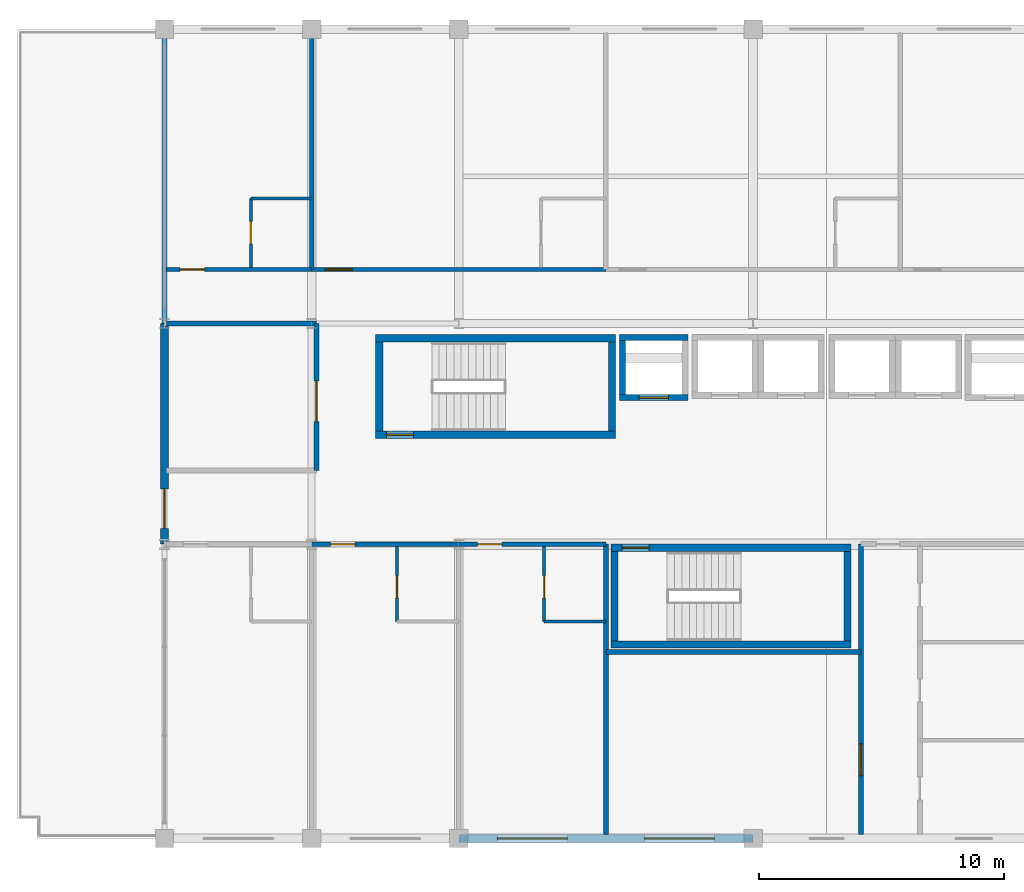
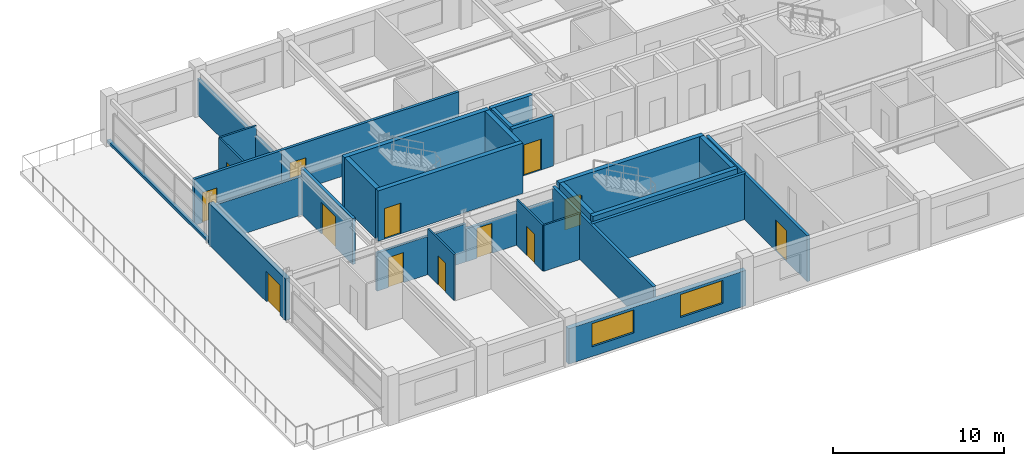
# One storey, part 17 of 21: 29 walls, 13 doors, 2 windows, 15 openings.
"""IFC4 building model written with IfcOpenShell, lengths in metres."""

from ifc_helpers import new_model, si_unit, direction, frame, frame_2d, origin, place, context, subcontext, project, spatial, rectangle, extrude, material, layer, layer_set, type_object, element, fill, save


model = new_model("IFC4")

# Units and contexts
model_context = context("Model", 3, precision=1e-05, world=origin(), true_north=direction((0.0, 1.0)))
body_context = subcontext(model_context, "Body", "Model", "MODEL_VIEW")
ifc_project = project(units=[si_unit("LENGTHUNIT", "METRE"), si_unit("AREAUNIT", "SQUARE_METRE"), si_unit("VOLUMEUNIT", "CUBIC_METRE"), si_unit("PLANEANGLEUNIT", "RADIAN"), si_unit("MASSUNIT", "GRAM", prefix="KILO")], contexts=[model_context])

# Site, building, storey
site_placement = place(None, origin())
site = spatial("IfcSite", under=ifc_project, at=site_placement, CompositionType="ELEMENT")
building_placement = place(site_placement, origin())
building = spatial("IfcBuilding", under=site, at=building_placement, Name="Kaldorvane Square Convention Centre", CompositionType="ELEMENT")
storey_placement = place(building_placement, frame((0.0, 0.0, 49.19999694824219)))
storey = spatial("IfcBuildingStorey", under=building, at=storey_placement, Name="L11", CompositionType="ELEMENT", Elevation=49.19999694824219)

# Wall, opening, door
ifc_material_1 = material(Name="Fire-Rated Gypsum Board on Acoustic Steel Studs", Category="steel")
ifc_layer_1 = layer(ifc_material_1, 0.125)
ifc_layer_set_1 = layer_set([ifc_layer_1], Name="Fire-Rated Gypsum Board on Acoustic Steel Studs")
wall_type_1 = type_object("IfcWallType", Name="WL-BATH-125", PredefinedType="PARTITIONING", material=ifc_layer_set_1)
wall_1_placement = place(storey_placement, frame((33.52000427246094, 107.28999328613281, 0.0), z_axis=(0.0, 0.0, 1.0), x_axis=(0.0, 1.0, 0.0)))
wall_1 = element("IfcWall", 1, at=wall_1_placement, inside=storey, type_object=wall_type_1, Name="En-Suite 1101 West Wall", PredefinedType="PARTITIONING", context=body_context, shape_type="SweptSolid", body=[
    extrude(rectangle(XDim=2.8100128173828125, YDim=0.125, at=frame_2d((1.404998779296875, 0.0))), origin(), (0.0, 0.0, 1.0), 3.290008544921875),
])
opening_1_placement = place(wall_1_placement, frame((0.9499969482421875, 0.0, 0.0)))
opening_1 = element("IfcOpeningElement", 2, at=opening_1_placement, cuts=wall_1, Name="Opening ID-12", PredefinedType="OPENING", context=body_context, shape_type="SweptSolid", body=[
    extrude(rectangle(XDim=0.9199981689453125, YDim=2.100006103515625, at=frame_2d((0.459991455078125, 1.0500030517578125))), frame((0.0, 0.0774993896484375, 0.0), z_axis=(0.0, -1.0, 0.0), x_axis=(1.0, 0.0, 0.0)), (0.0, 0.0, 1.0), 0.154998779296875),
])
ifc_material_2 = material(Name="Architectural Solid-Core White Oak")
door_type_1 = type_object("IfcDoorType", Name="DR-BATH-0920X2100", OperationType="SINGLE_SWING_RIGHT", PredefinedType="DOOR", material=ifc_material_2)
door_1_placement = place(opening_1_placement, origin())
door_1 = element("IfcDoor", 3, at=door_1_placement, inside=storey, type_object=door_type_1, Name="En-Suite Bathroom 1101 Door", OperationType="SINGLE_SWING_RIGHT", OverallHeight=2.100006103515625, OverallWidth=0.9199981689453125, PredefinedType="DOOR", context=body_context, shape_type="SweptSolid", body=[
    extrude(rectangle(XDim=0.9199981689453125, YDim=2.100006103515625, at=frame_2d((0.459991455078125, 1.0500030517578125))), frame((0.0, 0.024993896484375, 0.0), z_axis=(0.0, -1.0, 0.0), x_axis=(1.0, 0.0, 0.0)), (0.0, 0.0, 1.0), 0.0500030517578125),
])
fill(opening_1, door_1)

# Wall
wall_2_placement = place(storey_placement, frame((33.52000427246094, 110.10000610351562, 0.0), z_axis=(0.0, 0.0, 1.0), x_axis=(1.0, 0.0, 0.0)))
element("IfcWall", 4, at=wall_2_placement, inside=storey, type_object=wall_type_1, Name="En-Suite 1101 North Wall", PredefinedType="PARTITIONING", context=body_context, shape_type="SweptSolid", body=[
    extrude(rectangle(XDim=2.4799957275390625, YDim=0.125, at=frame_2d((1.239990234375, 0.0))), origin(), (0.0, 0.0, 1.0), 3.290008544921875),
])

# Wall, opening, door
wall_3_placement = place(storey_placement, frame((39.47999572753906, 92.85000610351562, 0.0), z_axis=(0.0, 0.0, 1.0), x_axis=(0.0, 1.0, 0.0)))
wall_3 = element("IfcWall", 5, at=wall_3_placement, inside=storey, type_object=wall_type_1, Name="En-Suite 1107 West Wall", PredefinedType="PARTITIONING", context=body_context, shape_type="SweptSolid", body=[
    extrude(rectangle(XDim=3.05999755859375, YDim=0.125, at=frame_2d((1.529998779296875, 0.0))), origin(), (0.0, 0.0, 1.0), 3.290008544921875),
])
opening_2_placement = place(wall_3_placement, frame((0.9499969482421875, 0.0, 0.0)))
opening_2 = element("IfcOpeningElement", 6, at=opening_2_placement, cuts=wall_3, Name="Opening ID-12", PredefinedType="OPENING", context=body_context, shape_type="SweptSolid", body=[
    extrude(rectangle(XDim=0.9199981689453125, YDim=2.100006103515625, at=frame_2d((0.459991455078125, 1.0500030517578125))), frame((0.0, 0.0774993896484375, 0.0), z_axis=(0.0, -1.0, 0.0), x_axis=(1.0, 0.0, 0.0)), (0.0, 0.0, 1.0), 0.154998779296875),
])
door_2_placement = place(opening_2_placement, origin())
door_2 = element("IfcDoor", 7, at=door_2_placement, inside=storey, type_object=door_type_1, Name="En-Suite Bathroom 1107 Door", OperationType="SINGLE_SWING_RIGHT", OverallHeight=2.100006103515625, OverallWidth=0.9199981689453125, PredefinedType="DOOR", context=body_context, shape_type="SweptSolid", body=[
    extrude(rectangle(XDim=0.9199981689453125, YDim=2.100006103515625, at=frame_2d((0.459991455078125, 1.0500030517578125))), frame((0.0, 0.024993896484375, 0.0), z_axis=(0.0, -1.0, 0.0), x_axis=(1.0, 0.0, 0.0)), (0.0, 0.0, 1.0), 0.0500030517578125),
])
fill(opening_2, door_2)

wall_4_placement = place(storey_placement, frame((45.47999572753906, 92.85000610351562, 0.0), z_axis=(0.0, 0.0, 1.0), x_axis=(0.0, 1.0, 0.0)))
wall_4 = element("IfcWall", 8, at=wall_4_placement, inside=storey, type_object=wall_type_1, Name="En-Suite 1108 West Wall", PredefinedType="PARTITIONING", context=body_context, shape_type="SweptSolid", body=[
    extrude(rectangle(XDim=3.05999755859375, YDim=0.125, at=frame_2d((1.529998779296875, 0.0))), origin(), (0.0, 0.0, 1.0), 3.290008544921875),
])
opening_3_placement = place(wall_4_placement, frame((0.9499969482421875, 0.0, 0.0)))
opening_3 = element("IfcOpeningElement", 9, at=opening_3_placement, cuts=wall_4, Name="Opening ID-12", PredefinedType="OPENING", context=body_context, shape_type="SweptSolid", body=[
    extrude(rectangle(XDim=0.9199981689453125, YDim=2.100006103515625, at=frame_2d((0.459991455078125, 1.0500030517578125))), frame((0.0, 0.0774993896484375, 0.0), z_axis=(0.0, -1.0, 0.0), x_axis=(1.0, 0.0, 0.0)), (0.0, 0.0, 1.0), 0.154998779296875),
])
door_3_placement = place(opening_3_placement, origin())
door_3 = element("IfcDoor", 10, at=door_3_placement, inside=storey, type_object=door_type_1, Name="En-Suite Bathroom 1108 Door", OperationType="SINGLE_SWING_RIGHT", OverallHeight=2.100006103515625, OverallWidth=0.9199981689453125, PredefinedType="DOOR", context=body_context, shape_type="SweptSolid", body=[
    extrude(rectangle(XDim=0.9199981689453125, YDim=2.100006103515625, at=frame_2d((0.459991455078125, 1.0500030517578125))), frame((0.0, 0.024993896484375, 0.0), z_axis=(0.0, -1.0, 0.0), x_axis=(1.0, 0.0, 0.0)), (0.0, 0.0, 1.0), 0.0500030517578125),
])
fill(opening_3, door_3)

# Wall
wall_5_placement = place(storey_placement, frame((45.47999572753906, 92.85000610351562, 0.0), z_axis=(0.0, 0.0, 1.0), x_axis=(1.0, 0.0, 0.0)))
element("IfcWall", 11, at=wall_5_placement, inside=storey, type_object=wall_type_1, Name="En-Suite 1108 South Wall", PredefinedType="PARTITIONING", context=body_context, shape_type="SweptSolid", body=[
    extrude(rectangle(XDim=2.5200042724609375, YDim=0.125, at=frame_2d((1.260009765625, 0.0))), origin(), (0.0, 0.0, 1.0), 3.290008544921875),
])

# Wall, opening, door
ifc_layer_2 = layer(ifc_material_1, 0.1999969482421875)
ifc_layer_set_2 = layer_set([ifc_layer_2], Name="Fire-Rated Gypsum Board on Acoustic Steel Studs")
wall_type_2 = type_object("IfcWallType", Name="WL-CORR-200", PredefinedType="PARTITIONING", material=ifc_layer_set_2)
wall_6_placement = place(storey_placement, frame((58.399993896484375, 84.16000366210938, 0.0), z_axis=(0.0, 0.0, 1.0), x_axis=(0.0, 1.0, 0.0)))
wall_6 = element("IfcWall", 12, at=wall_6_placement, inside=storey, type_object=wall_type_2, Name="Restroom Vestibule West Wall (L11)", PredefinedType="PARTITIONING", context=body_context, shape_type="SweptSolid", body=[
    extrude(rectangle(XDim=11.839996337890625, YDim=0.1999969482421875, at=frame_2d((5.9199981689453125, 0.0))), origin(), (0.0, 0.0, 1.0), 3.290008544921875),
])
opening_4_placement = place(wall_6_placement, frame((2.399993896484375, 0.0, 0.0)))
opening_4 = element("IfcOpeningElement", 13, at=opening_4_placement, cuts=wall_6, Name="Opening ID-09", PredefinedType="OPENING", context=body_context, shape_type="SweptSolid", body=[
    extrude(rectangle(XDim=1.3000030517578125, YDim=2.1999969482421875, at=frame_2d((0.649993896484375, 1.100006103515625))), frame((0.0, 0.114990234375, 0.0), z_axis=(0.0, -1.0, 0.0), x_axis=(1.0, 0.0, 0.0)), (0.0, 0.0, 1.0), 0.2299957275390625),
])
ifc_material_3 = material(Name="Insulated Hollow Metal Steel", Category="steel")
door_type_2 = type_object("IfcDoorType", Name="DR-SVC-1300X2200", OperationType="DOUBLE_DOOR_SINGLE_SWING", PredefinedType="DOOR", material=ifc_material_3)
door_4_placement = place(opening_4_placement, origin())
door_4 = element("IfcDoor", 14, at=door_4_placement, inside=storey, type_object=door_type_2, Name="Housekeeping and Linen Room (L11) Door", OperationType="DOUBLE_DOOR_SINGLE_SWING", OverallHeight=2.1999969482421875, OverallWidth=1.3000030517578125, PredefinedType="DOOR", context=body_context, shape_type="SweptSolid", body=[
    extrude(rectangle(XDim=1.3000030517578125, YDim=2.1999969482421875, at=frame_2d((0.649993896484375, 1.100006103515625))), frame((0.0, 0.024993896484375, 0.0), z_axis=(0.0, -1.0, 0.0), x_axis=(1.0, 0.0, 0.0)), (0.0, 0.0, 1.0), 0.0500030517578125),
])
fill(opening_4, door_4)

# Walls
wall_7_placement = place(storey_placement, frame((48.0, 91.60000610351562, 0.0), z_axis=(0.0, 0.0, 1.0), x_axis=(1.0, 0.0, 0.0)))
element("IfcWall", 15, at=wall_7_placement, inside=storey, type_object=wall_type_2, Name="Housekeeping North Wall (L11)", PredefinedType="PARTITIONING", context=body_context, shape_type="SweptSolid", body=[
    extrude(rectangle(XDim=10.399993896484375, YDim=0.1999969482421875, at=frame_2d((5.1999969482421875, 0.0))), origin(), (0.0, 0.0, 1.0), 3.290008544921875),
])
wall_8_placement = place(storey_placement, frame((48.0, 84.16000366210938, 0.0), z_axis=(0.0, 0.0, 1.0), x_axis=(0.0, 1.0, 0.0)))
element("IfcWall", 16, at=wall_8_placement, inside=storey, type_object=wall_type_2, Name="Service Block West Wall (L11)", PredefinedType="PARTITIONING", context=body_context, shape_type="SweptSolid", body=[
    extrude(rectangle(XDim=11.839996337890625, YDim=0.1999969482421875, at=frame_2d((5.9199981689453125, 0.0))), origin(), (0.0, 0.0, 1.0), 3.290008544921875),
])

# Wall, opening, door
wall_9_placement = place(storey_placement, frame((36.19999694824219, 99.0, 0.0), z_axis=(0.0, 0.0, 1.0), x_axis=(0.0, 1.0, 0.0)))
wall_9 = element("IfcWall", 17, at=wall_9_placement, inside=storey, type_object=wall_type_2, Name="West Sunset Sitting Alcove (L11) E Wall", PredefinedType="PARTITIONING", context=body_context, shape_type="SweptSolid", body=[
    extrude(rectangle(XDim=6.0, YDim=0.1999969482421875, at=frame_2d((3.0, 0.0))), origin(), (0.0, 0.0, 1.0), 3.290008544921875),
])
opening_5_placement = place(wall_9_placement, frame((2.0, 0.0, 0.0)))
opening_5 = element("IfcOpeningElement", 18, at=opening_5_placement, cuts=wall_9, Name="Opening ID-16", PredefinedType="OPENING", context=body_context, shape_type="SweptSolid", body=[
    extrude(rectangle(XDim=1.649993896484375, YDim=2.25, at=frame_2d((0.8249969482421875, 1.125))), frame((0.0, 0.114990234375, 0.0), z_axis=(0.0, -1.0, 0.0), x_axis=(1.0, 0.0, 0.0)), (0.0, 0.0, 1.0), 0.2299957275390625),
])
ifc_material_4 = material(Name="Acoustic Laminated Glass in Aluminum Frame", Category="aluminium")
door_type_3 = type_object("IfcDoorType", Name="DR-GL-1650X2250", OperationType="DOUBLE_DOOR_SINGLE_SWING", PredefinedType="DOOR", material=ifc_material_4)
door_5_placement = place(opening_5_placement, origin())
door_5 = element("IfcDoor", 19, at=door_5_placement, inside=storey, type_object=door_type_3, Name="West Sunset Sitting Alcove (L11) Door 1", OperationType="DOUBLE_DOOR_SINGLE_SWING", OverallHeight=2.25, OverallWidth=1.649993896484375, PredefinedType="DOOR", context=body_context, shape_type="SweptSolid", body=[
    extrude(rectangle(XDim=1.649993896484375, YDim=2.25, at=frame_2d((0.8249969482421875, 1.125))), frame((0.0, 0.024993896484375, 0.0), z_axis=(0.0, -1.0, 0.0), x_axis=(1.0, 0.0, 0.0)), (0.0, 0.0, 1.0), 0.0500030517578125),
])
fill(opening_5, door_5)

# Wall
wall_10_placement = place(storey_placement, frame((36.19999694824219, 105.0, 0.0), z_axis=(0.0, 0.0, 1.0), x_axis=(-1.0, 0.0, 0.0)))
element("IfcWall", 20, at=wall_10_placement, inside=storey, type_object=wall_type_2, Name="West Sunset Sitting Alcove (L11) N Wall", PredefinedType="PARTITIONING", context=body_context, shape_type="SweptSolid", body=[
    extrude(rectangle(XDim=6.114990234375, YDim=0.1999969482421875, at=frame_2d((3.0574951171875, 0.0))), origin(), (0.0, 0.0, 1.0), 2.7360076904296875),
])

# Wall, openings, windows
ifc_material_5 = material(Name="Concrete f'c = 35 MPa (Normalweight)", Category="concrete")
ifc_layer_3 = layer(ifc_material_5, 0.32000732421875)
ifc_layer_set_3 = layer_set([ifc_layer_3], Name="Concrete f'c = 35 MPa (Normalweight)")
wall_type_3 = type_object("IfcWallType", Name="WL-EXT-320", PredefinedType="STANDARD", material=ifc_layer_set_3)
wall_11_placement = place(storey_placement, frame((42.0, 84.0, 0.0), z_axis=(0.0, 0.0, 1.0), x_axis=(1.0, 0.0, 0.0)))
wall_11 = element("IfcWall", 21, at=wall_11_placement, inside=storey, type_object=wall_type_3, Name="Hotel S Brutalist Facade Wall (L11)", PredefinedType="STANDARD", context=body_context, shape_type="SweptSolid", body=[
    extrude(rectangle(XDim=12.0, YDim=0.32000732421875, at=frame_2d((6.0, 0.0))), origin(), (0.0, 0.0, 1.0), 2.5359954833984375),
])
opening_6_placement = place(wall_11_placement, frame((1.5749969482421875, 0.0, 0.6999969482421875)))
opening_6 = element("IfcOpeningElement", 22, at=opening_6_placement, cuts=wall_11, Name="Opening W-04", PredefinedType="OPENING", context=body_context, shape_type="SweptSolid", body=[
    extrude(rectangle(XDim=2.850006103515625, YDim=1.649993896484375, at=frame_2d((1.4250030517578125, 0.8249969482421875))), frame((0.0, 0.1750030517578125, 0.0), z_axis=(0.0, -1.0, 0.0), x_axis=(1.0, 0.0, 0.0)), (0.0, 0.0, 1.0), 0.350006103515625),
])
opening_7_placement = place(wall_11_placement, frame((7.5749969482421875, 0.0, 0.6999969482421875)))
opening_7 = element("IfcOpeningElement", 23, at=opening_7_placement, cuts=wall_11, Name="Opening W-04", PredefinedType="OPENING", context=body_context, shape_type="SweptSolid", body=[
    extrude(rectangle(XDim=2.850006103515625, YDim=1.649993896484375, at=frame_2d((1.4250030517578125, 0.8249969482421875))), frame((0.0, 0.1750030517578125, 0.0), z_axis=(0.0, -1.0, 0.0), x_axis=(1.0, 0.0, 0.0)), (0.0, 0.0, 1.0), 0.350006103515625),
])
ifc_material_6 = material(Name="Anodized Aluminum and Low-E Insulated Glazing", Category="aluminium")
window_type = type_object("IfcWindowType", Name="WN-HTL-2850X1650", PartitioningType="TRIPLE_PANEL_VERTICAL", PredefinedType="WINDOW", material=ifc_material_6)
window_1_placement = place(opening_6_placement, origin())
window_1 = element("IfcWindow", 24, at=window_1_placement, inside=storey, type_object=window_type, Name="Hotel S Window (L11)", OverallHeight=1.649993896484375, OverallWidth=2.850006103515625, PartitioningType="TRIPLE_PANEL_VERTICAL", PredefinedType="WINDOW", context=body_context, shape_type="SweptSolid", body=[
    extrude(rectangle(XDim=2.850006103515625, YDim=1.649993896484375, at=frame_2d((1.4250030517578125, 0.8249969482421875))), frame((0.0, 0.029998779296875, 0.0), z_axis=(0.0, -1.0, 0.0), x_axis=(1.0, 0.0, 0.0)), (0.0, 0.0, 1.0), 0.05999755859375),
])
fill(opening_6, window_1)
window_2_placement = place(opening_7_placement, origin())
window_2 = element("IfcWindow", 25, at=window_2_placement, inside=storey, type_object=window_type, Name="Hotel S Window (L11)", OverallHeight=1.649993896484375, OverallWidth=2.850006103515625, PartitioningType="TRIPLE_PANEL_VERTICAL", PredefinedType="WINDOW", context=body_context, shape_type="SweptSolid", body=[
    extrude(rectangle(XDim=2.850006103515625, YDim=1.649993896484375, at=frame_2d((1.4250030517578125, 0.8249969482421875))), frame((0.0, 0.029998779296875, 0.0), z_axis=(0.0, -1.0, 0.0), x_axis=(1.0, 0.0, 0.0)), (0.0, 0.0, 1.0), 0.05999755859375),
])
fill(opening_7, window_2)

# Wall, opening, door
wall_12_placement = place(storey_placement, frame((30.0, 105.0, 0.0), z_axis=(0.0, 0.0, 1.0), x_axis=(0.0, -1.0, 0.0)))
wall_12 = element("IfcWall", 26, at=wall_12_placement, inside=storey, type_object=wall_type_3, Name="Hotel W End Wall (L11)", PredefinedType="STANDARD", context=body_context, shape_type="SweptSolid", body=[
    extrude(rectangle(XDim=9.0, YDim=0.32000732421875, at=frame_2d((4.5, 0.0))), origin(), (0.0, 0.0, 1.0), 2.9810028076171875),
])
opening_8_placement = place(wall_12_placement, frame((6.75, 0.0, 0.0)))
opening_8 = element("IfcOpeningElement", 27, at=opening_8_placement, cuts=wall_12, Name="Opening TD-02", PredefinedType="OPENING", context=body_context, shape_type="SweptSolid", body=[
    extrude(rectangle(XDim=1.600006103515625, YDim=2.149993896484375, at=frame_2d((0.8000030517578125, 1.0749969482421875))), frame((0.0, 0.1750030517578125, 0.0), z_axis=(0.0, -1.0, 0.0), x_axis=(1.0, 0.0, 0.0)), (0.0, 0.0, 1.0), 0.350006103515625),
])
ifc_material_7 = material(Name="Thermally Broken Aluminum and Tempered Glass", Category="aluminium")
door_type_4 = type_object("IfcDoorType", Name="DR-TER-1600X2150", OperationType="DOUBLE_DOOR_SLIDING", PredefinedType="DOOR", material=ifc_material_7)
door_6_placement = place(opening_8_placement, origin())
door_6 = element("IfcDoor", 28, at=door_6_placement, inside=storey, type_object=door_type_4, Name="Setback Sky Terrace Door W (L11)", OperationType="DOUBLE_DOOR_SLIDING", OverallHeight=2.149993896484375, OverallWidth=1.600006103515625, PredefinedType="DOOR", context=body_context, shape_type="SweptSolid", body=[
    extrude(rectangle(XDim=1.600006103515625, YDim=2.149993896484375, at=frame_2d((0.8000030517578125, 1.0749969482421875))), frame((0.0, 0.024993896484375, 0.0), z_axis=(0.0, -1.0, 0.0), x_axis=(1.0, 0.0, 0.0)), (0.0, 0.0, 1.0), 0.0500030517578125),
])
fill(opening_8, door_6)

# Wall
ifc_layer_4 = layer(ifc_material_5, 0.220001220703125)
ifc_layer_set_4 = layer_set([ifc_layer_4], Name="Concrete f'c = 35 MPa (Normalweight)")
wall_type_4 = type_object("IfcWallType", Name="WL-PAR-220", PredefinedType="PARAPET", material=ifc_layer_set_4)
wall_13_placement = place(storey_placement, frame((30.0, 117.0, 0.0), z_axis=(0.0, 0.0, 1.0), x_axis=(0.0, -1.0, 0.0)))
element("IfcWall", 29, at=wall_13_placement, inside=storey, type_object=wall_type_4, Name="Hotel End Curtain-Wall Sill (L11)", PredefinedType="PARAPET", context=body_context, shape_type="SweptSolid", body=[
    extrude(rectangle(XDim=12.0, YDim=0.220001220703125, at=frame_2d((6.0, 0.0))), origin(), (0.0, 0.0, 1.0), 0.1999969482421875),
])

# Wall, opening, door
ifc_material_8 = material(Name="Concrete f'c = 55 MPa (Normalweight)", Category="concrete")
ifc_layer_5 = layer(ifc_material_8, 0.3000030517578125)
ifc_layer_set_5 = layer_set([ifc_layer_5], Name="Concrete f'c = 55 MPa (Normalweight)")
wall_type_5 = type_object("IfcWallType", Name="WL-SHAFT-300", PredefinedType="SHEAR", material=ifc_layer_set_5)
wall_14_placement = place(storey_placement, frame((38.600006103515625, 100.46000671386719, 0.0), z_axis=(0.0, 0.0, 1.0), x_axis=(1.0, 0.0, 0.0)))
wall_14 = element("IfcWall", 30, at=wall_14_placement, inside=storey, type_object=wall_type_5, Name="Core Enclosure Wall stair:ST-T1-S (L11)", PredefinedType="SHEAR", context=body_context, shape_type="SweptSolid", body=[
    extrude(rectangle(XDim=9.79998779296875, YDim=0.3000030517578125, at=frame_2d((4.899993896484375, 0.0))), origin(), (0.0, 0.0, 1.0), 3.600006103515625),
])
opening_9_placement = place(wall_14_placement, frame((0.4499969482421875, 0.0, 0.0)))
opening_9 = element("IfcOpeningElement", 31, at=opening_9_placement, cuts=wall_14, Name="Opening FD90-S1", PredefinedType="OPENING", context=body_context, shape_type="SweptSolid", body=[
    extrude(rectangle(XDim=1.100006103515625, YDim=2.1999969482421875, at=frame_2d((0.5500030517578125, 1.100006103515625))), frame((0.0, 0.165008544921875, 0.0), z_axis=(0.0, -1.0, 0.0), x_axis=(1.0, 0.0, 0.0)), (0.0, 0.0, 1.0), 0.3300018310546875),
])
ifc_material_9 = material(Name="Fire-Rated Hollow Metal Steel", Category="steel")
door_type_5 = type_object("IfcDoorType", Name="DR-STAIR-1100", OperationType="SINGLE_SWING_RIGHT", PredefinedType="DOOR", material=ifc_material_9)
door_7_placement = place(opening_9_placement, origin())
door_7 = element("IfcDoor", 32, at=door_7_placement, inside=storey, type_object=door_type_5, Name="Tower Exit Stair T1 Fire Door (L11)", OperationType="SINGLE_SWING_RIGHT", OverallHeight=2.1999969482421875, OverallWidth=1.100006103515625, PredefinedType="DOOR", context=body_context, shape_type="SweptSolid", body=[
    extrude(rectangle(XDim=1.100006103515625, YDim=2.1999969482421875, at=frame_2d((0.5500030517578125, 1.100006103515625))), frame((0.0, 0.024993896484375, 0.0), z_axis=(0.0, -1.0, 0.0), x_axis=(1.0, 0.0, 0.0)), (0.0, 0.0, 1.0), 0.0500030517578125),
])
fill(opening_9, door_7)

# Walls
wall_15_placement = place(storey_placement, frame((48.399993896484375, 104.39999389648438, 0.0), z_axis=(0.0, 0.0, 1.0), x_axis=(-1.0, 0.0, 0.0)))
element("IfcWall", 33, at=wall_15_placement, inside=storey, type_object=wall_type_5, Name="Core Enclosure Wall stair:ST-T1-N (L11)", PredefinedType="SHEAR", context=body_context, shape_type="SweptSolid", body=[
    extrude(rectangle(XDim=9.79998779296875, YDim=0.3000030517578125, at=frame_2d((4.899993896484375, 0.0))), origin(), (0.0, 0.0, 1.0), 3.600006103515625),
])
for number, where, z_axis, x_axis, name in (
    (34, (38.75, 104.25, 0.0), (0.0, 0.0, 1.0), (0.0, -1.0, 0.0), "Core Enclosure Wall stair:ST-T1-W (L11)"),
    (35, (48.25, 100.61000061035156, 0.0), (0.0, 0.0, 1.0), (0.0, 1.0, 0.0), "Core Enclosure Wall stair:ST-T1-E (L11)"),
):
    element("IfcWall", number, at=place(storey_placement, frame(where, z_axis=z_axis, x_axis=x_axis)), inside=storey, type_object=wall_type_5, Name=name, PredefinedType="SHEAR", context=body_context, shape_type="SweptSolid", body=[
        extrude(rectangle(XDim=3.6399993896484375, YDim=0.3000030517578125, at=frame_2d((1.82000732421875, 0.0))), origin(), (0.0, 0.0, 1.0), 3.600006103515625),
    ])
wall_16_placement = place(storey_placement, frame((48.19999694824219, 91.91000366210938, 0.0), z_axis=(0.0, 0.0, 1.0), x_axis=(1.0, 0.0, 0.0)))
element("IfcWall", 36, at=wall_16_placement, inside=storey, type_object=wall_type_5, Name="Core Enclosure Wall stair:ST-T3-S (L11)", PredefinedType="SHEAR", context=body_context, shape_type="SweptSolid", body=[
    extrude(rectangle(XDim=9.800003051757812, YDim=0.3000030517578125, at=frame_2d((4.899993896484375, 0.0))), origin(), (0.0, 0.0, 1.0), 3.600006103515625),
])

# Wall, opening, door
wall_17_placement = place(storey_placement, frame((58.0, 95.85000610351562, 0.0), z_axis=(0.0, 0.0, 1.0), x_axis=(-1.0, 0.0, 0.0)))
wall_17 = element("IfcWall", 37, at=wall_17_placement, inside=storey, type_object=wall_type_5, Name="Core Enclosure Wall stair:ST-T3-N (L11)", PredefinedType="SHEAR", context=body_context, shape_type="SweptSolid", body=[
    extrude(rectangle(XDim=9.800003051757812, YDim=0.3000030517578125, at=frame_2d((4.899993896484375, 0.0))), origin(), (0.0, 0.0, 1.0), 3.600006103515625),
])
opening_10_placement = place(wall_17_placement, frame((8.25, 0.0, 0.0)))
opening_10 = element("IfcOpeningElement", 38, at=opening_10_placement, cuts=wall_17, Name="Opening FD90-S1", PredefinedType="OPENING", context=body_context, shape_type="SweptSolid", body=[
    extrude(rectangle(XDim=1.100006103515625, YDim=2.1999969482421875, at=frame_2d((0.5500030517578125, 1.100006103515625))), frame((0.0, 0.165008544921875, 0.0), z_axis=(0.0, -1.0, 0.0), x_axis=(1.0, 0.0, 0.0)), (0.0, 0.0, 1.0), 0.3300018310546875),
])
door_8_placement = place(opening_10_placement, origin())
door_8 = element("IfcDoor", 39, at=door_8_placement, inside=storey, type_object=door_type_5, Name="Tower Exit Stair T3 Fire Door (L11)", OperationType="SINGLE_SWING_RIGHT", OverallHeight=2.1999969482421875, OverallWidth=1.100006103515625, PredefinedType="DOOR", context=body_context, shape_type="SweptSolid", body=[
    extrude(rectangle(XDim=1.100006103515625, YDim=2.1999969482421875, at=frame_2d((0.5500030517578125, 1.100006103515625))), frame((0.0, 0.024993896484375, 0.0), z_axis=(0.0, -1.0, 0.0), x_axis=(1.0, 0.0, 0.0)), (0.0, 0.0, 1.0), 0.0500030517578125),
])
fill(opening_10, door_8)

# Walls
for number, where, z_axis, x_axis, name in (
    (40, (48.350006103515625, 95.69999694824219, 0.0), (0.0, 0.0, 1.0), (0.0, -1.0, 0.0), "Core Enclosure Wall stair:ST-T3-W (L11)"),
    (41, (57.850006103515625, 92.05999755859375, 0.0), (0.0, 0.0, 1.0), (0.0, 1.0, 0.0), "Core Enclosure Wall stair:ST-T3-E (L11)"),
):
    element("IfcWall", number, at=place(storey_placement, frame(where, z_axis=z_axis, x_axis=x_axis)), inside=storey, type_object=wall_type_5, Name=name, PredefinedType="SHEAR", context=body_context, shape_type="SweptSolid", body=[
        extrude(rectangle(XDim=3.6399993896484375, YDim=0.3000030517578125, at=frame_2d((1.82000732421875, 0.0))), origin(), (0.0, 0.0, 1.0), 3.600006103515625),
    ])

# Wall, opening, door
wall_18_placement = place(storey_placement, frame((48.55000305175781, 101.97500610351562, 0.0), z_axis=(0.0, 0.0, 1.0), x_axis=(1.0, 0.0, 0.0)))
wall_18 = element("IfcWall", 42, at=wall_18_placement, inside=storey, type_object=wall_type_5, Name="Core Enclosure Wall lift:FSAE-01-S (L11)", PredefinedType="SHEAR", context=body_context, shape_type="SweptSolid", body=[
    extrude(rectangle(XDim=2.8000030517578125, YDim=0.25, at=frame_2d((1.399993896484375, 0.0))), origin(), (0.0, 0.0, 1.0), 3.600006103515625),
])
opening_11_placement = place(wall_18_placement, frame((0.8000030517578125, 0.0, 0.0)))
opening_11 = element("IfcOpeningElement", 43, at=opening_11_placement, cuts=wall_18, Name="Opening LD-02", PredefinedType="OPENING", context=body_context, shape_type="SweptSolid", body=[
    extrude(rectangle(XDim=1.1999969482421875, YDim=2.1999969482421875, at=frame_2d((0.600006103515625, 1.100006103515625))), frame((0.0, 0.1399993896484375, 0.0), z_axis=(0.0, -1.0, 0.0), x_axis=(1.0, 0.0, 0.0)), (0.0, 0.0, 1.0), 0.279998779296875),
])
ifc_material_10 = material(Name="Stainless Steel Elevator Door Assembly", Category="steel")
door_type_6 = type_object("IfcDoorType", Name="DR-LIFT-1200", OperationType="DOUBLE_DOOR_SLIDING", PredefinedType="DOOR", material=ifc_material_10)
door_9_placement = place(opening_11_placement, origin())
door_9 = element("IfcDoor", 44, at=door_9_placement, inside=storey, type_object=door_type_6, Name="Elevator Landing Door FSAE-01 (L11)", OperationType="DOUBLE_DOOR_SLIDING", OverallHeight=2.1999969482421875, OverallWidth=1.1999969482421875, PredefinedType="DOOR", context=body_context, shape_type="SweptSolid", body=[
    extrude(rectangle(XDim=1.1999969482421875, YDim=2.1999969482421875, at=frame_2d((0.600006103515625, 1.100006103515625))), frame((0.0, 0.024993896484375, 0.0), z_axis=(0.0, -1.0, 0.0), x_axis=(1.0, 0.0, 0.0)), (0.0, 0.0, 1.0), 0.0500030517578125),
])
fill(opening_11, door_9)

# Walls
wall_19_placement = place(storey_placement, frame((51.350006103515625, 104.42500305175781, 0.0), z_axis=(0.0, 0.0, 1.0), x_axis=(-1.0, 0.0, 0.0)))
element("IfcWall", 45, at=wall_19_placement, inside=storey, type_object=wall_type_5, Name="Core Enclosure Wall lift:FSAE-01-N (L11)", PredefinedType="SHEAR", context=body_context, shape_type="SweptSolid", body=[
    extrude(rectangle(XDim=2.8000030517578125, YDim=0.25, at=frame_2d((1.399993896484375, 0.0))), origin(), (0.0, 0.0, 1.0), 3.600006103515625),
])
wall_20_placement = place(storey_placement, frame((48.67500305175781, 104.30000305175781, 0.0), z_axis=(0.0, 0.0, 1.0), x_axis=(0.0, -1.0, 0.0)))
element("IfcWall", 46, at=wall_20_placement, inside=storey, type_object=wall_type_5, Name="Core Enclosure Wall lift:FSAE-01-W (L11)", PredefinedType="SHEAR", context=body_context, shape_type="SweptSolid", body=[
    extrude(rectangle(XDim=2.1999969482421875, YDim=0.25, at=frame_2d((1.100006103515625, 0.0))), origin(), (0.0, 0.0, 1.0), 3.600006103515625),
])

# Wall, opening, door
ifc_layer_6 = layer(ifc_material_1, 0.17999267578125)
ifc_layer_set_6 = layer_set([ifc_layer_6], Name="Fire-Rated Gypsum Board on Acoustic Steel Studs")
wall_type_6 = type_object("IfcWallType", Name="WL-UNIT-180", PredefinedType="PARTITIONING", material=ifc_layer_set_6)
wall_21_placement = place(storey_placement, frame((30.085006713867188, 107.19999694824219, 0.0), z_axis=(0.0, 0.0, 1.0), x_axis=(1.0, 0.0, 0.0)))
wall_21 = element("IfcWall", 47, at=wall_21_placement, inside=storey, type_object=wall_type_6, Name="Hotel Guest Room 1101 Corridor Wall", PredefinedType="PARTITIONING", context=body_context, shape_type="SweptSolid", body=[
    extrude(rectangle(XDim=5.9149932861328125, YDim=0.17999267578125, at=frame_2d((2.957489013671875, 0.0))), origin(), (0.0, 0.0, 1.0), 3.290008544921875),
])
opening_12_placement = place(wall_21_placement, frame((0.5500030517578125, 0.0, 0.0)))
opening_12 = element("IfcOpeningElement", 48, at=opening_12_placement, cuts=wall_21, Name="Opening ID-10", PredefinedType="OPENING", context=body_context, shape_type="SweptSolid", body=[
    extrude(rectangle(XDim=1.0, YDim=2.149993896484375, at=frame_2d((0.5, 1.0749969482421875))), frame((0.0, 0.1049957275390625, 0.0), z_axis=(0.0, -1.0, 0.0), x_axis=(1.0, 0.0, 0.0)), (0.0, 0.0, 1.0), 0.209991455078125),
])
door_type_7 = type_object("IfcDoorType", Name="DR-GUEST-1000X2150", OperationType="SINGLE_SWING_LEFT", PredefinedType="DOOR", material=ifc_material_2)
door_10_placement = place(opening_12_placement, origin())
door_10 = element("IfcDoor", 49, at=door_10_placement, inside=storey, type_object=door_type_7, Name="Hotel Guest Room 1101 Entry Door", OperationType="SINGLE_SWING_LEFT", OverallHeight=2.149993896484375, OverallWidth=1.0, PredefinedType="DOOR", context=body_context, shape_type="SweptSolid", body=[
    extrude(rectangle(XDim=1.0, YDim=2.149993896484375, at=frame_2d((0.5, 1.0749969482421875))), frame((0.0, 0.024993896484375, 0.0), z_axis=(0.0, -1.0, 0.0), x_axis=(1.0, 0.0, 0.0)), (0.0, 0.0, 1.0), 0.0500030517578125),
])
fill(opening_12, door_10)

# Wall
wall_22_placement = place(storey_placement, frame((36.0, 107.19999694824219, 0.0), z_axis=(0.0, 0.0, 1.0), x_axis=(0.0, 1.0, 0.0)))
element("IfcWall", 50, at=wall_22_placement, inside=storey, type_object=wall_type_6, Name="Guestroom Demising Wall 1101", PredefinedType="PARTITIONING", context=body_context, shape_type="SweptSolid", body=[
    extrude(rectangle(XDim=9.639999389648438, YDim=0.17999267578125, at=frame_2d((4.82000732421875, 0.0))), origin(), (0.0, 0.0, 1.0), 2.589996337890625),
])

# Wall, opening, door
wall_23_placement = place(storey_placement, frame((36.0, 107.19999694824219, 0.0), z_axis=(0.0, 0.0, 1.0), x_axis=(1.0, 0.0, 0.0)))
wall_23 = element("IfcWall", 51, at=wall_23_placement, inside=storey, type_object=wall_type_6, Name="Presidential Suite 1102 Corridor Wall", PredefinedType="PARTITIONING", context=body_context, shape_type="SweptSolid", body=[
    extrude(rectangle(XDim=12.0, YDim=0.17999267578125, at=frame_2d((6.0, 0.0))), origin(), (0.0, 0.0, 1.0), 3.290008544921875),
])
opening_13_placement = place(wall_23_placement, frame((0.5500030517578125, 0.0, 0.0)))
opening_13 = element("IfcOpeningElement", 52, at=opening_13_placement, cuts=wall_23, Name="Opening ID-11", PredefinedType="OPENING", context=body_context, shape_type="SweptSolid", body=[
    extrude(rectangle(XDim=1.100006103515625, YDim=2.1999969482421875, at=frame_2d((0.5500030517578125, 1.100006103515625))), frame((0.0, 0.1049957275390625, 0.0), z_axis=(0.0, -1.0, 0.0), x_axis=(1.0, 0.0, 0.0)), (0.0, 0.0, 1.0), 0.209991455078125),
])
door_type_8 = type_object("IfcDoorType", Name="DR-SUITE-1100X2200", OperationType="SINGLE_SWING_LEFT", PredefinedType="DOOR", material=ifc_material_2)
door_11_placement = place(opening_13_placement, origin())
door_11 = element("IfcDoor", 53, at=door_11_placement, inside=storey, type_object=door_type_8, Name="Presidential Suite 1102 Entry Door", OperationType="SINGLE_SWING_LEFT", OverallHeight=2.1999969482421875, OverallWidth=1.100006103515625, PredefinedType="DOOR", context=body_context, shape_type="SweptSolid", body=[
    extrude(rectangle(XDim=1.100006103515625, YDim=2.1999969482421875, at=frame_2d((0.5500030517578125, 1.100006103515625))), frame((0.0, 0.024993896484375, 0.0), z_axis=(0.0, -1.0, 0.0), x_axis=(1.0, 0.0, 0.0)), (0.0, 0.0, 1.0), 0.0500030517578125),
])
fill(opening_13, door_11)

wall_24_placement = place(storey_placement, frame((36.0, 96.0, 0.0), z_axis=(0.0, 0.0, 1.0), x_axis=(1.0, 0.0, 0.0)))
wall_24 = element("IfcWall", 54, at=wall_24_placement, inside=storey, type_object=wall_type_6, Name="Hotel Guest Room 1107 Corridor Wall", PredefinedType="PARTITIONING", context=body_context, shape_type="SweptSolid", body=[
    extrude(rectangle(XDim=6.0, YDim=0.17999267578125, at=frame_2d((3.0, 0.0))), origin(), (0.0, 0.0, 1.0), 2.7360076904296875),
])
opening_14_placement = place(wall_24_placement, frame((0.7700042724609375, 0.0, 0.0)))
opening_14 = element("IfcOpeningElement", 55, at=opening_14_placement, cuts=wall_24, Name="Opening ID-10", PredefinedType="OPENING", context=body_context, shape_type="SweptSolid", body=[
    extrude(rectangle(XDim=1.0, YDim=2.149993896484375, at=frame_2d((0.5, 1.0749969482421875))), frame((0.0, 0.1049957275390625, 0.0), z_axis=(0.0, -1.0, 0.0), x_axis=(1.0, 0.0, 0.0)), (0.0, 0.0, 1.0), 0.209991455078125),
])
door_12_placement = place(opening_14_placement, origin())
door_12 = element("IfcDoor", 56, at=door_12_placement, inside=storey, type_object=door_type_7, Name="Hotel Guest Room 1107 Entry Door", OperationType="SINGLE_SWING_LEFT", OverallHeight=2.149993896484375, OverallWidth=1.0, PredefinedType="DOOR", context=body_context, shape_type="SweptSolid", body=[
    extrude(rectangle(XDim=1.0, YDim=2.149993896484375, at=frame_2d((0.5, 1.0749969482421875))), frame((0.0, 0.024993896484375, 0.0), z_axis=(0.0, -1.0, 0.0), x_axis=(1.0, 0.0, 0.0)), (0.0, 0.0, 1.0), 0.0500030517578125),
])
fill(opening_14, door_12)

wall_25_placement = place(storey_placement, frame((42.0, 96.0, 0.0), z_axis=(0.0, 0.0, 1.0), x_axis=(1.0, 0.0, 0.0)))
wall_25 = element("IfcWall", 57, at=wall_25_placement, inside=storey, type_object=wall_type_6, Name="Hotel Guest Room 1108 Corridor Wall", PredefinedType="PARTITIONING", context=body_context, shape_type="SweptSolid", body=[
    extrude(rectangle(XDim=6.0, YDim=0.17999267578125, at=frame_2d((3.0, 0.0))), origin(), (0.0, 0.0, 1.0), 2.3590087890625),
])
opening_15_placement = place(wall_25_placement, frame((0.7700042724609375, 0.0, 0.0)))
opening_15 = element("IfcOpeningElement", 58, at=opening_15_placement, cuts=wall_25, Name="Opening ID-10", PredefinedType="OPENING", context=body_context, shape_type="SweptSolid", body=[
    extrude(rectangle(XDim=1.0, YDim=2.149993896484375, at=frame_2d((0.5, 1.0749969482421875))), frame((0.0, 0.1049957275390625, 0.0), z_axis=(0.0, -1.0, 0.0), x_axis=(1.0, 0.0, 0.0)), (0.0, 0.0, 1.0), 0.209991455078125),
])
door_13_placement = place(opening_15_placement, origin())
door_13 = element("IfcDoor", 59, at=door_13_placement, inside=storey, type_object=door_type_7, Name="Hotel Guest Room 1108 Entry Door", OperationType="SINGLE_SWING_LEFT", OverallHeight=2.149993896484375, OverallWidth=1.0, PredefinedType="DOOR", context=body_context, shape_type="SweptSolid", body=[
    extrude(rectangle(XDim=1.0, YDim=2.149993896484375, at=frame_2d((0.5, 1.0749969482421875))), frame((0.0, 0.024993896484375, 0.0), z_axis=(0.0, -1.0, 0.0), x_axis=(1.0, 0.0, 0.0)), (0.0, 0.0, 1.0), 0.0500030517578125),
])
fill(opening_15, door_13)

save(model, "model.ifc")
